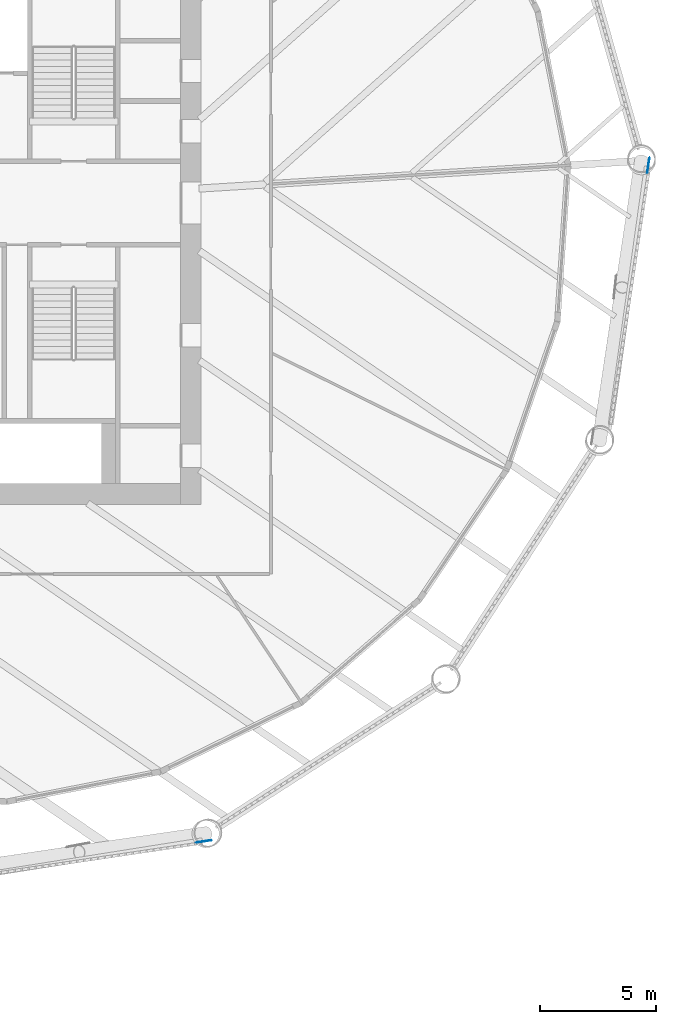
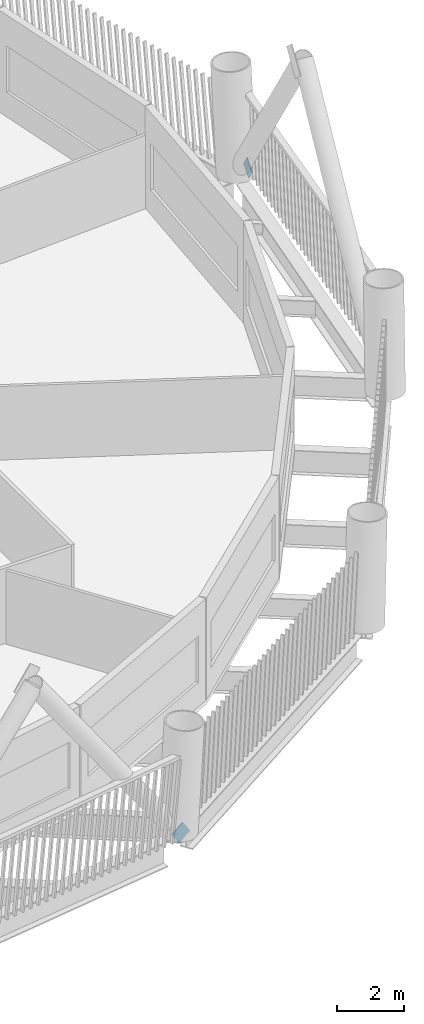
# One storey, part 13 of 22: 2 discrete accessories.
"""IFC4 building model written with IfcOpenShell, lengths in metres."""

from ifc_helpers import new_model, si_unit, direction, frame, origin, origin_2d, place, context, subcontext, project, spatial, rectangle, extrude, material, material_profile, profile_set, type_object, element, save


model = new_model("IFC4")

# Units and contexts
model_context = context("Model", 3, precision=1e-05, world=origin(), true_north=direction((0.0, 1.0)))
body_context = subcontext(model_context, "Body", "Model", "MODEL_VIEW")
ifc_project = project(units=[si_unit("LENGTHUNIT", "METRE"), si_unit("AREAUNIT", "SQUARE_METRE"), si_unit("VOLUMEUNIT", "CUBIC_METRE"), si_unit("PLANEANGLEUNIT", "RADIAN"), si_unit("MASSUNIT", "GRAM", prefix="KILO")], contexts=[model_context])

# Site, building, storey
site_placement = place(None, origin())
site = spatial("IfcSite", under=ifc_project, at=site_placement, CompositionType="ELEMENT")
building_placement = place(site_placement, origin())
building = spatial("IfcBuilding", under=site, at=building_placement, Name="Tarsis Ring Headquarters", CompositionType="ELEMENT")
storey_placement = place(building_placement, frame((0.0, 0.0, 55.60009765625)))
storey = spatial("IfcBuildingStorey", under=building, at=storey_placement, Name="L11", CompositionType="ELEMENT", Elevation=55.60009765625)

# Discrete accessories
ifc_material = material(Name="Structural steel S355", Category="steel")
ifc_material_profile = material_profile(ifc_material, rectangle(XDim=0.02490234375, YDim=0.5, at=origin_2d()), Name="PL 25x500")
ifc_profile_set = profile_set([ifc_material_profile], Name="Structural steel S355")
discrete_accessory_type = type_object("IfcDiscreteAccessoryType", Name="Gusset plate Exo brace 25", PredefinedType="BRACKET", material=ifc_profile_set)
for number, where, z_axis, x_axis, name in (
    (1, (10.25341796875, -27.510009765625, 0.0), (-0.572418224547, -0.084006770155, 0.815647128834), (0.145202338573, -0.989401981438, 0.0), "Gusset plate GP5"),
    (2, (29.304931640625, 1.7763671875, 0.0), (-0.08693975872, -0.571946390231, 0.815670770014), (0.988643391909, -0.150280549752, 0.0), "Gusset plate GP5"),
):
    element("IfcDiscreteAccessory", number, at=place(storey_placement, frame(where, z_axis=z_axis, x_axis=x_axis)), inside=storey, type_object=discrete_accessory_type, Name=name, PredefinedType="BRACKET", context=body_context, shape_type="SweptSolid", body=[
        extrude(rectangle(XDim=0.02490234375, YDim=0.5, at=origin_2d()), origin(), (0.0, 0.0, 1.0), 0.499755859375),
    ])

save(model, "model.ifc")
